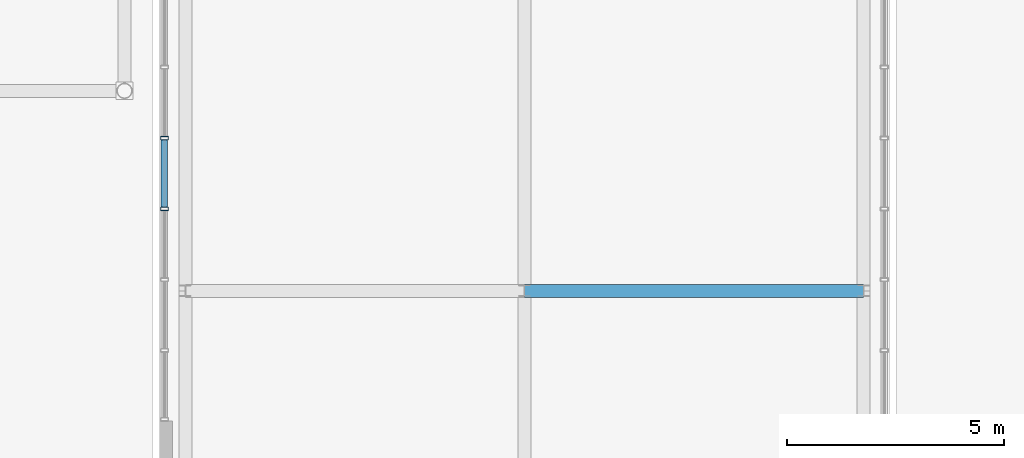
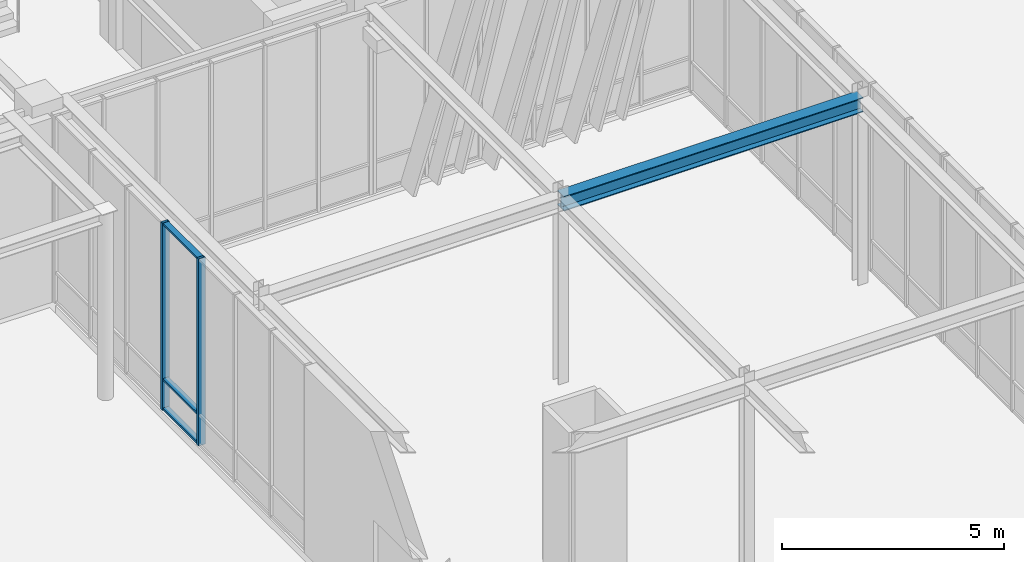
# One storey, part 22 of 122: 5 members, 1 beam, 1 element without a shape of its own.
"""IFC4 building model written with IfcOpenShell, lengths in metres."""

from ifc_helpers import new_model, si_unit, direction, frame, origin, origin_2d, place, context, subcontext, project, spatial, hollow_rectangle, i_section, extrude, material, layer, layer_set, material_profile, profile_set, type_object, element, aggregate, save


model = new_model("IFC4")

# Units and contexts
model_context = context("Model", 3, precision=1e-05, world=origin(), true_north=direction((0.0, 1.0)))
body_context = subcontext(model_context, "Body", "Model", "MODEL_VIEW")
ifc_project = project(units=[si_unit("LENGTHUNIT", "METRE"), si_unit("AREAUNIT", "SQUARE_METRE"), si_unit("VOLUMEUNIT", "CUBIC_METRE"), si_unit("PLANEANGLEUNIT", "RADIAN"), si_unit("MASSUNIT", "GRAM", prefix="KILO")], contexts=[model_context])

# Site, building, storey
site_placement = place(None, origin())
site = spatial("IfcSite", under=ifc_project, at=site_placement, CompositionType="ELEMENT")
building_placement = place(site_placement, origin())
building = spatial("IfcBuilding", under=site, at=building_placement, Name="Zayran Congress Hotel", CompositionType="ELEMENT")
storey_placement = place(building_placement, origin())
storey = spatial("IfcBuildingStorey", under=building, at=storey_placement, Name="L00", CompositionType="ELEMENT", Elevation=0.0)

# Beam
ifc_material_1 = material(Name="Steel S355", Category="steel")
ifc_material_profile_1 = material_profile(ifc_material_1, i_section(OverallWidth=0.300048828125, OverallDepth=0.39990234375, WebThickness=0.013427734375, FlangeThickness=0.02392578125, at=origin_2d()), Name="HEB 400")
ifc_profile_set_1 = profile_set([ifc_material_profile_1], Name="Steel S355")
beam_type = type_object("IfcBeamType", Name="TP-BM-10", PredefinedType="BEAM", material=ifc_profile_set_1)
beam_placement = place(storey_placement, frame((84.0, 59.199951171875, 4.949951171875), z_axis=(1.0, 0.0, 0.0), x_axis=(0.0, 1.0, 0.0)))
element("IfcBeam", 1, at=beam_placement, inside=storey, type_object=beam_type, Name="BM-BR2-L00-2445", PredefinedType="BEAM", context=body_context, shape_type="SweptSolid", body=[
    extrude(i_section(OverallWidth=0.300048828125, OverallDepth=0.39990234375, WebThickness=0.013427734375, FlangeThickness=0.02392578125, at=origin_2d()), origin(), (0.0, 0.0, 1.0), 7.800048828125),
])

# Curtain wall, members
ifc_material_2 = material(Name="Anodised aluminium and low-E insulated glass", Category="aluminium")
ifc_layer = layer(ifc_material_2, 0.179931640625)
ifc_layer_set = layer_set([ifc_layer], Name="Anodised aluminium and low-E insulated glass")
curtain_wall_type = type_object("IfcCurtainWallType", Name="CW-BR2-L00-CW-BR2-11400-5150", PredefinedType="USERDEFINED", material=ifc_layer_set)
curtain_wall_placement = place(storey_placement, origin())
curtain_wall = element("IfcCurtainWall", 2, at=curtain_wall_placement, inside=storey, type_object=curtain_wall_type, Name="CW-BR2W-L00-2", ObjectType="CURTAIN WALL", PredefinedType="USERDEFINED")
ifc_material_3 = material(Name="Anodised aluminium framing", Category="aluminium")
ifc_material_profile_2 = material_profile(ifc_material_3, hollow_rectangle(XDim=0.080078125, YDim=0.179931640625, WallThickness=0.0048828125, at=origin_2d()), Name="RHS 180x80x5")
ifc_profile_set_2 = profile_set([ifc_material_profile_2], Name="Anodised aluminium framing")
member_type_1 = type_object("IfcMemberType", Name="TP-CWM-01", PredefinedType="MULLION", material=ifc_profile_set_2)
member_1_placement = place(storey_placement, frame((75.719970703125, 62.71435546875, 0.0), z_axis=(0.0, 0.0, 1.0), x_axis=(0.0, 1.0, 0.0)))
member_1 = element("IfcMember", 3, at=member_1_placement, type_object=member_type_1, Name="CW-BR2W-L00-2-M03", PredefinedType="MULLION", context=body_context, shape_type="SweptSolid", body=[
    extrude(hollow_rectangle(XDim=0.080078125, YDim=0.179931640625, WallThickness=0.0048828125, at=origin_2d()), origin(), (0.0, 0.0, 1.0), 5.14990234375),
])
member_2_placement = place(storey_placement, frame((75.719970703125, 61.085693359375, 0.0), z_axis=(0.0, 0.0, 1.0), x_axis=(0.0, 1.0, 0.0)))
member_2 = element("IfcMember", 4, at=member_2_placement, type_object=member_type_1, Name="CW-BR2W-L00-2-M04", PredefinedType="MULLION", context=body_context, shape_type="SweptSolid", body=[
    extrude(hollow_rectangle(XDim=0.080078125, YDim=0.179931640625, WallThickness=0.0048828125, at=origin_2d()), origin(), (0.0, 0.0, 1.0), 5.14990234375),
])
ifc_material_profile_3 = material_profile(ifc_material_3, hollow_rectangle(XDim=0.06005859375, YDim=0.14990234375, WallThickness=0.00390625, at=origin_2d()), Name="RHS 150x60x4")
ifc_profile_set_3 = profile_set([ifc_material_profile_3], Name="Anodised aluminium framing")
member_type_2 = type_object("IfcMemberType", Name="TP-CWT-01", PredefinedType="USERDEFINED", material=ifc_profile_set_3)
member_3_placement = place(storey_placement, frame((75.719970703125, 62.67431640625, 0.030029296875), z_axis=(0.0, -1.0, 0.0), x_axis=(0.0, 0.0, 1.0)))
member_3 = element("IfcMember", 5, at=member_3_placement, type_object=member_type_2, Name="CW-BR2W-L00-2-T03-0", ObjectType="TRANSOM", PredefinedType="USERDEFINED", context=body_context, shape_type="SweptSolid", body=[
    extrude(hollow_rectangle(XDim=0.06005859375, YDim=0.14990234375, WallThickness=0.00390625, at=origin_2d()), origin(), (0.0, 0.0, 1.0), 1.548583984375),
])
member_4_placement = place(storey_placement, frame((75.719970703125, 62.67431640625, 0.840087890625), z_axis=(0.0, -1.0, 0.0), x_axis=(0.0, 0.0, 1.0)))
member_4 = element("IfcMember", 6, at=member_4_placement, type_object=member_type_2, Name="CW-BR2W-L00-2-T03-1", ObjectType="TRANSOM", PredefinedType="USERDEFINED", context=body_context, shape_type="SweptSolid", body=[
    extrude(hollow_rectangle(XDim=0.06005859375, YDim=0.14990234375, WallThickness=0.00390625, at=origin_2d()), origin(), (0.0, 0.0, 1.0), 1.548583984375),
])
member_5_placement = place(storey_placement, frame((75.719970703125, 62.67431640625, 5.1201171875), z_axis=(0.0, -1.0, 0.0), x_axis=(0.0, 0.0, 1.0)))
member_5 = element("IfcMember", 7, at=member_5_placement, type_object=member_type_2, Name="CW-BR2W-L00-2-T03-2", ObjectType="TRANSOM", PredefinedType="USERDEFINED", context=body_context, shape_type="SweptSolid", body=[
    extrude(hollow_rectangle(XDim=0.06005859375, YDim=0.14990234375, WallThickness=0.00390625, at=origin_2d()), origin(), (0.0, 0.0, 1.0), 1.548583984375),
])
aggregate(curtain_wall, [member_1, member_2, member_3, member_4, member_5])

save(model, "model.ifc")
